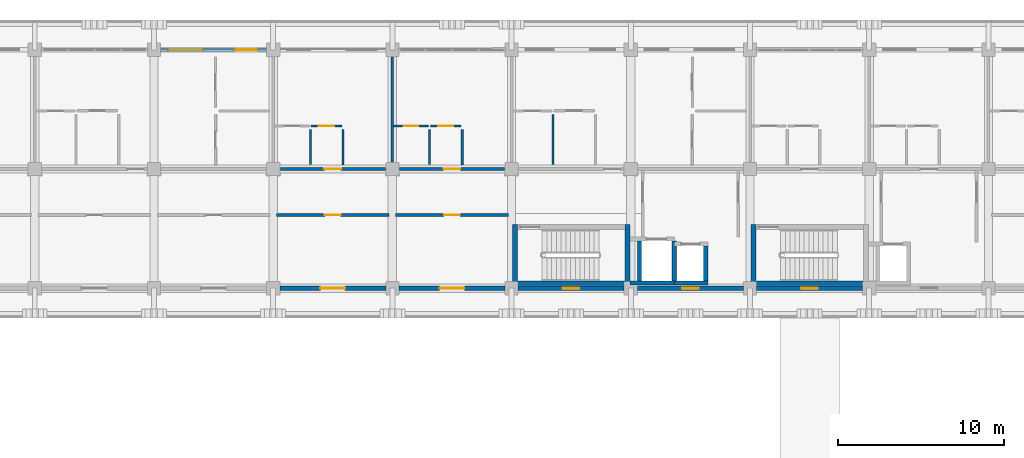
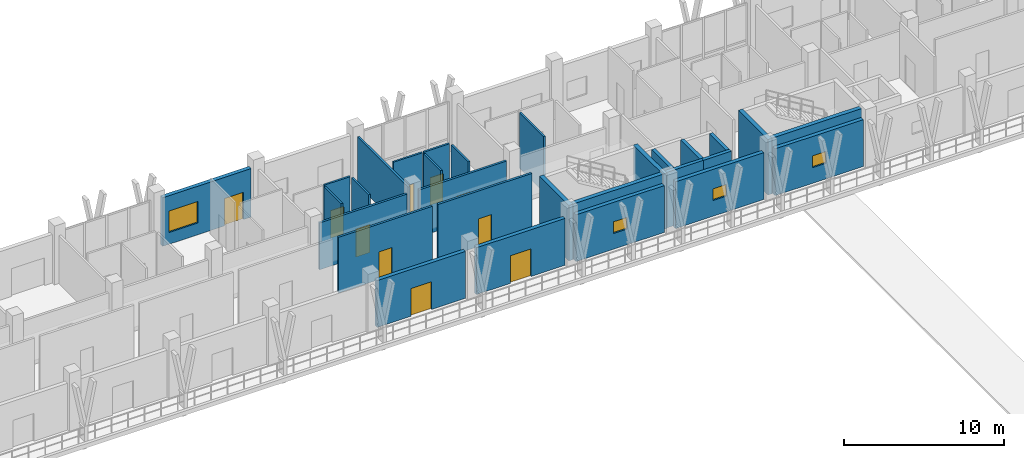
# One storey, part 74 of 110: 29 walls, 10 doors, 4 windows, 14 openings.
"""IFC4 building model written with IfcOpenShell, lengths in metres."""

from ifc_helpers import new_model, si_unit, direction, frame, frame_2d, origin, place, context, subcontext, project, spatial, rectangle, extrude, material, layer, layer_set, type_object, element, fill, save


model = new_model("IFC4")

# Units and contexts
model_context = context("Model", 3, precision=1e-05, world=origin(), true_north=direction((0.0, 1.0)))
body_context = subcontext(model_context, "Body", "Model", "MODEL_VIEW")
ifc_project = project(units=[si_unit("LENGTHUNIT", "METRE"), si_unit("AREAUNIT", "SQUARE_METRE"), si_unit("VOLUMEUNIT", "CUBIC_METRE"), si_unit("PLANEANGLEUNIT", "RADIAN"), si_unit("MASSUNIT", "GRAM", prefix="KILO")], contexts=[model_context])

# Site, building, storey
site_placement = place(None, origin())
site = spatial("IfcSite", under=ifc_project, at=site_placement, CompositionType="ELEMENT")
building_placement = place(site_placement, origin())
building = spatial("IfcBuilding", under=site, at=building_placement, Name="Suanplinth Sawtooth Commons", CompositionType="ELEMENT")
storey_placement = place(building_placement, frame((0.0, 0.0, 4.5)))
storey = spatial("IfcBuildingStorey", under=building, at=storey_placement, Name="L01", CompositionType="ELEMENT", Elevation=4.5)

# Walls
ifc_material_1 = material(Name="Concrete C40/50", Category="concrete")
ifc_layer_1 = layer(ifc_material_1, 0.300048828125, Name="Standard RC stair and lift core wall 300mm")
ifc_layer_set_1 = layer_set([ifc_layer_1], Name="Concrete C40/50")
wall_type_1 = type_object("IfcWallType", Name="W-CR02", PredefinedType="SHEAR", material=ifc_layer_set_1)
wall_1_placement = place(storey_placement, frame((43.550048828125, 108.300048828125, 0.0), z_axis=(0.0, 0.0, 1.0), x_axis=(1.0, 0.0, 0.0)))
element("IfcWall", 1, at=wall_1_placement, inside=storey, type_object=wall_type_1, Name="W-L01-C-A1-STS", PredefinedType="SHEAR", context=body_context, shape_type="SweptSolid", body=[
    extrude(rectangle(XDim=6.5, YDim=0.300048828125, at=frame_2d((3.25, 0.0))), origin(), (0.0, 0.0, 1.0), 4.25),
])
for number, where, z_axis, x_axis, name in (
    (2, (43.39990234375, 108.14990234375, 0.0), (0.0, 0.0, 1.0), (0.0, 1.0, 0.0), "W-L01-C-A1-STW"),
    (3, (50.199951171875, 108.14990234375, 0.0), (0.0, 0.0, 1.0), (0.0, 1.0, 0.0), "W-L01-C-A1-STE"),
):
    element("IfcWall", number, at=place(storey_placement, frame(where, z_axis=z_axis, x_axis=x_axis)), inside=storey, type_object=wall_type_1, Name=name, PredefinedType="SHEAR", context=body_context, shape_type="SweptSolid", body=[
        extrude(rectangle(XDim=3.7001953125, YDim=0.300048828125, at=frame_2d((1.85009765625, 0.0))), origin(), (0.0, 0.0, 1.0), 4.25),
    ])
wall_2_placement = place(storey_placement, frame((57.949951171875, 108.300048828125, 0.0), z_axis=(0.0, 0.0, 1.0), x_axis=(1.0, 0.0, 0.0)))
element("IfcWall", 4, at=wall_2_placement, inside=storey, type_object=wall_type_1, Name="W-L01-C-A2-STS", PredefinedType="SHEAR", context=body_context, shape_type="SweptSolid", body=[
    extrude(rectangle(XDim=6.5, YDim=0.300048828125, at=frame_2d((3.25, 0.0))), origin(), (0.0, 0.0, 1.0), 4.25),
])
wall_3_placement = place(storey_placement, frame((57.800048828125, 108.14990234375, 0.0), z_axis=(0.0, 0.0, 1.0), x_axis=(0.0, 1.0, 0.0)))
element("IfcWall", 5, at=wall_3_placement, inside=storey, type_object=wall_type_1, Name="W-L01-C-A2-STW", PredefinedType="SHEAR", context=body_context, shape_type="SweptSolid", body=[
    extrude(rectangle(XDim=3.7001953125, YDim=0.300048828125, at=frame_2d((1.85009765625, 0.0))), origin(), (0.0, 0.0, 1.0), 4.25),
])

# Wall, openings, door, window
ifc_material_2 = material(Name="Precast concrete C40/50", Category="concrete")
ifc_layer_2 = layer(ifc_material_2, 0.280029296875, Name="Insulated precast architectural facade wall 280mm")
ifc_layer_set_2 = layer_set([ifc_layer_2], Name="Precast concrete C40/50")
wall_type_2 = type_object("IfcWallType", Name="W-EX01", PredefinedType="ELEMENTEDWALL", material=ifc_layer_set_2)
wall_4_placement = place(storey_placement, frame((22.0, 122.39990234375, 0.0), z_axis=(0.0, 0.0, 1.0), x_axis=(1.0, 0.0, 0.0)))
wall_4 = element("IfcWall", 6, at=wall_4_placement, inside=storey, type_object=wall_type_2, Name="Facade Wall W-L01-A-N-3", PredefinedType="ELEMENTEDWALL", context=body_context, shape_type="SweptSolid", body=[
    extrude(rectangle(XDim=6.39990234375, YDim=0.280029296875, at=frame_2d((3.199951171875, 0.0))), origin(), (0.0, 0.0, 1.0), 3.715087890625),
])
opening_1_placement = place(wall_4_placement, frame((4.449951171875, 0.0, 0.0)))
opening_1 = element("IfcOpeningElement", 7, at=opening_1_placement, cuts=wall_4, Name="Opening ED0044", PredefinedType="OPENING", context=body_context, shape_type="SweptSolid", body=[
    extrude(rectangle(XDim=1.39990234375, YDim=2.10009765625, at=frame_2d((0.699951171875, 1.050048828125))), frame((0.0, 0.15478515625, 0.0), z_axis=(0.0, -1.0, 0.0), x_axis=(1.0, 0.0, 0.0)), (0.0, 0.0, 1.0), 0.309814453125),
])
opening_2_placement = place(wall_4_placement, frame((0.449951171875, 0.0, 0.89990234375)))
opening_2 = element("IfcOpeningElement", 8, at=opening_2_placement, cuts=wall_4, Name="Opening W0170", PredefinedType="OPENING", context=body_context, shape_type="SweptSolid", body=[
    extrude(rectangle(XDim=2.10009765625, YDim=1.64990234375, at=frame_2d((1.050048828125, 0.824951171875))), frame((0.0, 0.15478515625, 0.0), z_axis=(0.0, -1.0, 0.0), x_axis=(1.0, 0.0, 0.0)), (0.0, 0.0, 1.0), 0.309814453125),
])
ifc_material_3 = material(Name="Anodized aluminium and low-E glass", Category="aluminium")
door_type_1 = type_object("IfcDoorType", Name="SD-07", OperationType="SLIDING_TO_RIGHT", PredefinedType="DOOR", material=ifc_material_3)
door_1_placement = place(opening_1_placement, frame((1.39990234375, 0.0, 0.0), z_axis=(0.0, 0.0, 1.0), x_axis=(-1.0, 0.0, 0.0)))
door_1 = element("IfcDoor", 9, at=door_1_placement, inside=storey, type_object=door_type_1, Name="Balcony Sliding Door L01-A-N-3", OperationType="SLIDING_TO_RIGHT", OverallHeight=2.10009765625, OverallWidth=1.39990234375, PredefinedType="DOOR", context=body_context, shape_type="SweptSolid", body=[
    extrude(rectangle(XDim=1.39990234375, YDim=2.10009765625, at=frame_2d((0.699951171875, 1.050048828125))), frame((0.0, 0.02490234375, 0.0), z_axis=(0.0, -1.0, 0.0), x_axis=(1.0, 0.0, 0.0)), (0.0, 0.0, 1.0), 0.050048828125),
])
fill(opening_1, door_1)
ifc_material_4 = material(Name="Thermally broken aluminium and low-E double glazing", Category="aluminium")
window_type_1 = type_object("IfcWindowType", Name="WN-06", PartitioningType="DOUBLE_PANEL_VERTICAL", PredefinedType="WINDOW", material=ifc_material_4)
window_1_placement = place(opening_2_placement, origin())
window_1 = element("IfcWindow", 10, at=window_1_placement, inside=storey, type_object=window_type_1, Name="Window L01-A-N-3", OverallHeight=1.64990234375, OverallWidth=2.10009765625, PartitioningType="DOUBLE_PANEL_VERTICAL", PredefinedType="WINDOW", context=body_context, shape_type="SweptSolid", body=[
    extrude(rectangle(XDim=2.10009765625, YDim=1.64990234375, at=frame_2d((1.050048828125, 0.824951171875))), frame((0.0, 0.030029296875, 0.0), z_axis=(0.0, -1.0, 0.0), x_axis=(1.0, 0.0, 0.0)), (0.0, 0.0, 1.0), 0.06005859375),
])
fill(opening_2, window_1)

# Wall, opening, door
wall_5_placement = place(storey_placement, frame((29.199951171875, 108.0, 0.0), z_axis=(0.0, 0.0, 1.0), x_axis=(1.0, 0.0, 0.0)))
wall_5 = element("IfcWall", 11, at=wall_5_placement, inside=storey, type_object=wall_type_2, Name="Courtyard Wall W-L01-A-S-4", PredefinedType="ELEMENTEDWALL", context=body_context, shape_type="SweptSolid", body=[
    extrude(rectangle(XDim=6.400146484375, YDim=0.280029296875, at=frame_2d((3.2001953125, 0.0))), origin(), (0.0, 0.0, 1.0), 3.5849609375),
])
opening_3_placement = place(wall_5_placement, frame((2.449951171875, 0.0, 0.0)))
opening_3 = element("IfcOpeningElement", 12, at=opening_3_placement, cuts=wall_5, Name="Opening ED0047", PredefinedType="OPENING", context=body_context, shape_type="SweptSolid", body=[
    extrude(rectangle(XDim=1.5, YDim=2.1201171875, at=frame_2d((0.75, 1.06005859375))), frame((0.0, 0.15478515625, 0.0), z_axis=(0.0, -1.0, 0.0), x_axis=(1.0, 0.0, 0.0)), (0.0, 0.0, 1.0), 0.309814453125),
])
door_type_2 = type_object("IfcDoorType", Name="SD-03", OperationType="SLIDING_TO_LEFT", PredefinedType="DOOR", material=ifc_material_3)
door_2_placement = place(opening_3_placement, frame((1.5, 0.0, 0.0), z_axis=(0.0, 0.0, 1.0), x_axis=(-1.0, 0.0, 0.0)))
door_2 = element("IfcDoor", 13, at=door_2_placement, inside=storey, type_object=door_type_2, Name="Courtyard Balcony Sliding Door L01-A-S-4", OperationType="SLIDING_TO_LEFT", OverallHeight=2.1201171875, OverallWidth=1.5, PredefinedType="DOOR", context=body_context, shape_type="SweptSolid", body=[
    extrude(rectangle(XDim=1.5, YDim=2.1201171875, at=frame_2d((0.75, 1.06005859375))), frame((0.0, 0.02490234375, 0.0), z_axis=(0.0, -1.0, 0.0), x_axis=(1.0, 0.0, 0.0)), (0.0, 0.0, 1.0), 0.050048828125),
])
fill(opening_3, door_2)

wall_6_placement = place(storey_placement, frame((36.39990234375, 108.0, 0.0), z_axis=(0.0, 0.0, 1.0), x_axis=(1.0, 0.0, 0.0)))
wall_6 = element("IfcWall", 14, at=wall_6_placement, inside=storey, type_object=wall_type_2, Name="Courtyard Wall W-L01-A-S-5", PredefinedType="ELEMENTEDWALL", context=body_context, shape_type="SweptSolid", body=[
    extrude(rectangle(XDim=6.400146484375, YDim=0.280029296875, at=frame_2d((3.2001953125, 0.0))), origin(), (0.0, 0.0, 1.0), 3.5849609375),
])
opening_4_placement = place(wall_6_placement, frame((2.449951171875, 0.0, 0.0)))
opening_4 = element("IfcOpeningElement", 15, at=opening_4_placement, cuts=wall_6, Name="Opening ED0048", PredefinedType="OPENING", context=body_context, shape_type="SweptSolid", body=[
    extrude(rectangle(XDim=1.5, YDim=2.1201171875, at=frame_2d((0.75, 1.06005859375))), frame((0.0, 0.15478515625, 0.0), z_axis=(0.0, -1.0, 0.0), x_axis=(1.0, 0.0, 0.0)), (0.0, 0.0, 1.0), 0.309814453125),
])
door_3_placement = place(opening_4_placement, frame((1.5, 0.0, 0.0), z_axis=(0.0, 0.0, 1.0), x_axis=(-1.0, 0.0, 0.0)))
door_3 = element("IfcDoor", 16, at=door_3_placement, inside=storey, type_object=door_type_2, Name="Courtyard Balcony Sliding Door L01-A-S-5", OperationType="SLIDING_TO_LEFT", OverallHeight=2.1201171875, OverallWidth=1.5, PredefinedType="DOOR", context=body_context, shape_type="SweptSolid", body=[
    extrude(rectangle(XDim=1.5, YDim=2.1201171875, at=frame_2d((0.75, 1.06005859375))), frame((0.0, 0.02490234375, 0.0), z_axis=(0.0, -1.0, 0.0), x_axis=(1.0, 0.0, 0.0)), (0.0, 0.0, 1.0), 0.050048828125),
])
fill(opening_4, door_3)

# Wall, opening, window
wall_7_placement = place(storey_placement, frame((43.60009765625, 108.0, 0.0), z_axis=(0.0, 0.0, 1.0), x_axis=(1.0, 0.0, 0.0)))
wall_7 = element("IfcWall", 17, at=wall_7_placement, inside=storey, type_object=wall_type_2, Name="Courtyard Wall W-L01-A-S-6", PredefinedType="ELEMENTEDWALL", context=body_context, shape_type="SweptSolid", body=[
    extrude(rectangle(XDim=6.39990234375, YDim=0.280029296875, at=frame_2d((3.199951171875, 0.0))), origin(), (0.0, 0.0, 1.0), 3.5849609375),
])
opening_5_placement = place(wall_7_placement, frame((2.699951171875, 0.0, 1.199951171875)))
opening_5 = element("IfcOpeningElement", 18, at=opening_5_placement, cuts=wall_7, Name="Opening W0173", PredefinedType="OPENING", context=body_context, shape_type="SweptSolid", body=[
    extrude(rectangle(XDim=1.0, YDim=0.89990234375, at=frame_2d((0.5, 0.449951171875))), frame((0.0, 0.15478515625, 0.0), z_axis=(0.0, -1.0, 0.0), x_axis=(1.0, 0.0, 0.0)), (0.0, 0.0, 1.0), 0.309814453125),
])
window_type_2 = type_object("IfcWindowType", Name="WN-12", PartitioningType="SINGLE_PANEL", PredefinedType="WINDOW", material=ifc_material_4)
window_2_placement = place(opening_5_placement, origin())
window_2 = element("IfcWindow", 19, at=window_2_placement, inside=storey, type_object=window_type_2, Name="Core Daylight Window L01-A-6", OverallHeight=0.89990234375, OverallWidth=1.0, PartitioningType="SINGLE_PANEL", PredefinedType="WINDOW", context=body_context, shape_type="SweptSolid", body=[
    extrude(rectangle(XDim=1.0, YDim=0.89990234375, at=frame_2d((0.5, 0.449951171875))), frame((0.0, 0.030029296875, 0.0), z_axis=(0.0, -1.0, 0.0), x_axis=(1.0, 0.0, 0.0)), (0.0, 0.0, 1.0), 0.06005859375),
])
fill(opening_5, window_2)

wall_8_placement = place(storey_placement, frame((50.800048828125, 108.0, 0.0), z_axis=(0.0, 0.0, 1.0), x_axis=(1.0, 0.0, 0.0)))
wall_8 = element("IfcWall", 20, at=wall_8_placement, inside=storey, type_object=wall_type_2, Name="Courtyard Wall W-L01-A-S-7", PredefinedType="ELEMENTEDWALL", context=body_context, shape_type="SweptSolid", body=[
    extrude(rectangle(XDim=6.39990234375, YDim=0.280029296875, at=frame_2d((3.199951171875, 0.0))), origin(), (0.0, 0.0, 1.0), 3.5849609375),
])
opening_6_placement = place(wall_8_placement, frame((2.699951171875, 0.0, 1.199951171875)))
opening_6 = element("IfcOpeningElement", 21, at=opening_6_placement, cuts=wall_8, Name="Opening W0175", PredefinedType="OPENING", context=body_context, shape_type="SweptSolid", body=[
    extrude(rectangle(XDim=1.0, YDim=0.89990234375, at=frame_2d((0.5, 0.449951171875))), frame((0.0, 0.15478515625, 0.0), z_axis=(0.0, -1.0, 0.0), x_axis=(1.0, 0.0, 0.0)), (0.0, 0.0, 1.0), 0.309814453125),
])
window_3_placement = place(opening_6_placement, origin())
window_3 = element("IfcWindow", 22, at=window_3_placement, inside=storey, type_object=window_type_2, Name="Core Daylight Window L01-A-7", OverallHeight=0.89990234375, OverallWidth=1.0, PartitioningType="SINGLE_PANEL", PredefinedType="WINDOW", context=body_context, shape_type="SweptSolid", body=[
    extrude(rectangle(XDim=1.0, YDim=0.89990234375, at=frame_2d((0.5, 0.449951171875))), frame((0.0, 0.030029296875, 0.0), z_axis=(0.0, -1.0, 0.0), x_axis=(1.0, 0.0, 0.0)), (0.0, 0.0, 1.0), 0.06005859375),
])
fill(opening_6, window_3)

wall_9_placement = place(storey_placement, frame((58.0, 108.0, 0.0), z_axis=(0.0, 0.0, 1.0), x_axis=(1.0, 0.0, 0.0)))
wall_9 = element("IfcWall", 23, at=wall_9_placement, inside=storey, type_object=wall_type_2, Name="Courtyard Wall W-L01-A-S-8", PredefinedType="ELEMENTEDWALL", context=body_context, shape_type="SweptSolid", body=[
    extrude(rectangle(XDim=6.39990234375, YDim=0.280029296875, at=frame_2d((3.199951171875, 0.0))), origin(), (0.0, 0.0, 1.0), 3.5849609375),
])
opening_7_placement = place(wall_9_placement, frame((2.699951171875, 0.0, 1.199951171875)))
opening_7 = element("IfcOpeningElement", 24, at=opening_7_placement, cuts=wall_9, Name="Opening W0176", PredefinedType="OPENING", context=body_context, shape_type="SweptSolid", body=[
    extrude(rectangle(XDim=1.0, YDim=0.89990234375, at=frame_2d((0.5, 0.449951171875))), frame((0.0, 0.15478515625, 0.0), z_axis=(0.0, -1.0, 0.0), x_axis=(1.0, 0.0, 0.0)), (0.0, 0.0, 1.0), 0.309814453125),
])
window_4_placement = place(opening_7_placement, origin())
window_4 = element("IfcWindow", 25, at=window_4_placement, inside=storey, type_object=window_type_2, Name="Core Daylight Window L01-A-8", OverallHeight=0.89990234375, OverallWidth=1.0, PartitioningType="SINGLE_PANEL", PredefinedType="WINDOW", context=body_context, shape_type="SweptSolid", body=[
    extrude(rectangle(XDim=1.0, YDim=0.89990234375, at=frame_2d((0.5, 0.449951171875))), frame((0.0, 0.030029296875, 0.0), z_axis=(0.0, -1.0, 0.0), x_axis=(1.0, 0.0, 0.0)), (0.0, 0.0, 1.0), 0.06005859375),
])
fill(opening_7, window_4)

# Wall, opening, door
ifc_layer_3 = layer(ifc_material_2, 0.159912109375, Name="Fire-rated corridor and lobby wall 160mm")
ifc_layer_set_3 = layer_set([ifc_layer_3], Name="Precast concrete C40/50")
wall_type_3 = type_object("IfcWallType", Name="W-FW01", PredefinedType="PARTITIONING", material=ifc_layer_set_3)
wall_10_placement = place(storey_placement, frame((29.22998046875, 115.199951171875, 0.0), z_axis=(0.0, 0.0, 1.0), x_axis=(1.0, 0.0, 0.0)))
wall_10 = element("IfcWall", 26, at=wall_10_placement, inside=storey, type_object=wall_type_3, Name="W-A-L01-U04-COR", PredefinedType="PARTITIONING", context=body_context, shape_type="SweptSolid", body=[
    extrude(rectangle(XDim=6.340087890625, YDim=0.159912109375, at=frame_2d((3.169921875, 0.0))), origin(), (0.0, 0.0, 1.0), 3.5849609375),
])
opening_8_placement = place(wall_10_placement, frame((2.669921875, 0.0, 0.0)))
opening_8 = element("IfcOpeningElement", 27, at=opening_8_placement, cuts=wall_10, Name="Opening FD0533", PredefinedType="OPENING", context=body_context, shape_type="SweptSolid", body=[
    extrude(rectangle(XDim=1.0, YDim=2.14990234375, at=frame_2d((0.5, 1.074951171875))), frame((0.0, 0.0947265625, 0.0), z_axis=(0.0, -1.0, 0.0), x_axis=(1.0, 0.0, 0.0)), (0.0, 0.0, 1.0), 0.189697265625),
])
ifc_material_5 = material(Name="Teak hardwood fire-rated door assembly", Category="wood")
door_type_3 = type_object("IfcDoorType", Name="FD-03", OperationType="NOTDEFINED", PredefinedType="DOOR", material=ifc_material_5)
door_4_placement = place(opening_8_placement, origin())
door_4 = element("IfcDoor", 28, at=door_4_placement, inside=storey, type_object=door_type_3, Name="Unit Entrance Door FD0533", OperationType="SINGLE_SWING_LEFT", OverallHeight=2.14990234375, OverallWidth=1.0, PredefinedType="DOOR", context=body_context, shape_type="SweptSolid", body=[
    extrude(rectangle(XDim=1.0, YDim=2.14990234375, at=frame_2d((0.5, 1.074951171875))), frame((0.0, 0.02490234375, 0.0), z_axis=(0.0, -1.0, 0.0), x_axis=(1.0, 0.0, 0.0)), (0.0, 0.0, 1.0), 0.050048828125),
])
fill(opening_8, door_4)

wall_11_placement = place(storey_placement, frame((36.429931640625, 115.199951171875, 0.0), z_axis=(0.0, 0.0, 1.0), x_axis=(1.0, 0.0, 0.0)))
wall_11 = element("IfcWall", 29, at=wall_11_placement, inside=storey, type_object=wall_type_3, Name="W-A-L01-U05-COR", PredefinedType="PARTITIONING", context=body_context, shape_type="SweptSolid", body=[
    extrude(rectangle(XDim=6.340087890625, YDim=0.159912109375, at=frame_2d((3.169921875, 0.0))), origin(), (0.0, 0.0, 1.0), 3.5849609375),
])
opening_9_placement = place(wall_11_placement, frame((2.669921875, 0.0, 0.0)))
opening_9 = element("IfcOpeningElement", 30, at=opening_9_placement, cuts=wall_11, Name="Opening FD0536", PredefinedType="OPENING", context=body_context, shape_type="SweptSolid", body=[
    extrude(rectangle(XDim=1.0, YDim=2.14990234375, at=frame_2d((0.5, 1.074951171875))), frame((0.0, 0.0947265625, 0.0), z_axis=(0.0, -1.0, 0.0), x_axis=(1.0, 0.0, 0.0)), (0.0, 0.0, 1.0), 0.189697265625),
])
door_5_placement = place(opening_9_placement, origin())
door_5 = element("IfcDoor", 31, at=door_5_placement, inside=storey, type_object=door_type_3, Name="Unit Entrance Door FD0536", OperationType="SINGLE_SWING_RIGHT", OverallHeight=2.14990234375, OverallWidth=1.0, PredefinedType="DOOR", context=body_context, shape_type="SweptSolid", body=[
    extrude(rectangle(XDim=1.0, YDim=2.14990234375, at=frame_2d((0.5, 1.074951171875))), frame((0.0, 0.02490234375, 0.0), z_axis=(0.0, -1.0, 0.0), x_axis=(1.0, 0.0, 0.0)), (0.0, 0.0, 1.0), 0.050048828125),
])
fill(opening_9, door_5)

wall_12_placement = place(storey_placement, frame((29.0, 112.419921875, 0.0), z_axis=(0.0, 0.0, 1.0), x_axis=(1.0, 0.0, 0.0)))
wall_12 = element("IfcWall", 32, at=wall_12_placement, inside=storey, type_object=wall_type_3, Name="W-A-L01-COURTROOM-17-COR", PredefinedType="PARTITIONING", context=body_context, shape_type="SweptSolid", body=[
    extrude(rectangle(XDim=6.800048828125, YDim=0.159912109375, at=frame_2d((3.39990234375, 0.0))), origin(), (0.0, 0.0, 1.0), 4.25),
])
opening_10_placement = place(wall_12_placement, frame((2.929931640625, 0.0, 0.0)))
opening_10 = element("IfcOpeningElement", 33, at=opening_10_placement, cuts=wall_12, Name="Opening D0571", PredefinedType="OPENING", context=body_context, shape_type="SweptSolid", body=[
    extrude(rectangle(XDim=0.93994140625, YDim=2.1201171875, at=frame_2d((0.469970703125, 1.06005859375))), frame((0.0, 0.0947265625, 0.0), z_axis=(0.0, -1.0, 0.0), x_axis=(1.0, 0.0, 0.0)), (0.0, 0.0, 1.0), 0.189697265625),
])
ifc_material_6 = material(Name="Teak hardwood", Category="wood")
door_type_4 = type_object("IfcDoorType", Name="D-15", OperationType="NOTDEFINED", PredefinedType="DOOR", material=ifc_material_6)
door_6_placement = place(opening_10_placement, frame((0.93994140625, 0.0, 0.0), z_axis=(0.0, 0.0, 1.0), x_axis=(-1.0, 0.0, 0.0)))
door_6 = element("IfcDoor", 34, at=door_6_placement, inside=storey, type_object=door_type_4, Name="Study Studio Door D0571", OperationType="SINGLE_SWING_LEFT", OverallHeight=2.1201171875, OverallWidth=0.93994140625, PredefinedType="DOOR", context=body_context, shape_type="SweptSolid", body=[
    extrude(rectangle(XDim=0.93994140625, YDim=2.1201171875, at=frame_2d((0.469970703125, 1.06005859375))), frame((0.0, 0.02490234375, 0.0), z_axis=(0.0, -1.0, 0.0), x_axis=(1.0, 0.0, 0.0)), (0.0, 0.0, 1.0), 0.050048828125),
])
fill(opening_10, door_6)

wall_13_placement = place(storey_placement, frame((36.199951171875, 112.419921875, 0.0), z_axis=(0.0, 0.0, 1.0), x_axis=(1.0, 0.0, 0.0)))
wall_13 = element("IfcWall", 35, at=wall_13_placement, inside=storey, type_object=wall_type_3, Name="W-A-L01-COURTROOM-18-COR", PredefinedType="PARTITIONING", context=body_context, shape_type="SweptSolid", body=[
    extrude(rectangle(XDim=6.800048828125, YDim=0.159912109375, at=frame_2d((3.39990234375, 0.0))), origin(), (0.0, 0.0, 1.0), 4.25),
])
opening_11_placement = place(wall_13_placement, frame((2.929931640625, 0.0, 0.0)))
opening_11 = element("IfcOpeningElement", 36, at=opening_11_placement, cuts=wall_13, Name="Opening D0572", PredefinedType="OPENING", context=body_context, shape_type="SweptSolid", body=[
    extrude(rectangle(XDim=0.93994140625, YDim=2.1201171875, at=frame_2d((0.469970703125, 1.06005859375))), frame((0.0, 0.0947265625, 0.0), z_axis=(0.0, -1.0, 0.0), x_axis=(1.0, 0.0, 0.0)), (0.0, 0.0, 1.0), 0.189697265625),
])
door_7_placement = place(opening_11_placement, frame((0.93994140625, 0.0, 0.0), z_axis=(0.0, 0.0, 1.0), x_axis=(-1.0, 0.0, 0.0)))
door_7 = element("IfcDoor", 37, at=door_7_placement, inside=storey, type_object=door_type_4, Name="Study Studio Door D0572", OperationType="SINGLE_SWING_RIGHT", OverallHeight=2.1201171875, OverallWidth=0.93994140625, PredefinedType="DOOR", context=body_context, shape_type="SweptSolid", body=[
    extrude(rectangle(XDim=0.93994140625, YDim=2.1201171875, at=frame_2d((0.469970703125, 1.06005859375))), frame((0.0, 0.02490234375, 0.0), z_axis=(0.0, -1.0, 0.0), x_axis=(1.0, 0.0, 0.0)), (0.0, 0.0, 1.0), 0.050048828125),
])
fill(opening_11, door_7)

# Wall
ifc_layer_4 = layer(ifc_material_2, 0.14990234375, Name="Acoustic precast party demising wall 150mm")
ifc_layer_set_4 = layer_set([ifc_layer_4], Name="Precast concrete C40/50")
wall_type_4 = type_object("IfcWallType", Name="W-FW02", PredefinedType="PARTITIONING", material=ifc_layer_set_4)
wall_14_placement = place(storey_placement, frame((36.0, 115.6298828125, 0.0), z_axis=(0.0, 0.0, 1.0), x_axis=(0.0, 1.0, 0.0)))
element("IfcWall", 38, at=wall_14_placement, inside=storey, type_object=wall_type_4, Name="W-A-L01-U04-PTY", PredefinedType="PARTITIONING", context=body_context, shape_type="SweptSolid", body=[
    extrude(rectangle(XDim=6.340087890625, YDim=0.14990234375, at=frame_2d((3.169921875, 0.0))), origin(), (0.0, 0.0, 1.0), 3.68505859375),
])

# Wall, opening, door
ifc_material_7 = material(Name="Gypsum plasterboard on steel stud", Category="steel")
ifc_layer_5 = layer(ifc_material_7, 0.139892578125, Name="Fire-rated kitchen partition 140mm")
ifc_layer_set_5 = layer_set([ifc_layer_5], Name="Gypsum plasterboard on steel stud")
wall_type_5 = type_object("IfcWallType", Name="W-PT01", PredefinedType="PARTITIONING", material=ifc_layer_set_5)
wall_15_placement = place(storey_placement, frame((31.10009765625, 117.800048828125, 0.0), z_axis=(0.0, 0.0, 1.0), x_axis=(1.0, 0.0, 0.0)))
wall_15 = element("IfcWall", 39, at=wall_15_placement, inside=storey, type_object=wall_type_5, Name="W-A-L01-U04-KIT1", PredefinedType="PARTITIONING", context=body_context, shape_type="SweptSolid", body=[
    extrude(rectangle(XDim=1.849853515625, YDim=0.139892578125, at=frame_2d((0.9248046875, 0.0))), origin(), (0.0, 0.0, 1.0), 4.25),
])
opening_12_placement = place(wall_15_placement, frame((0.465087890625, 0.0, 0.0)))
opening_12 = element("IfcOpeningElement", 40, at=opening_12_placement, cuts=wall_15, Name="Opening D0535", PredefinedType="OPENING", context=body_context, shape_type="SweptSolid", body=[
    extrude(rectangle(XDim=0.919921875, YDim=2.10009765625, at=frame_2d((0.4599609375, 1.050048828125))), frame((0.0, 0.0849609375, 0.0), z_axis=(0.0, -1.0, 0.0), x_axis=(1.0, 0.0, 0.0)), (0.0, 0.0, 1.0), 0.169677734375),
])
door_type_5 = type_object("IfcDoorType", Name="D-02", OperationType="NOTDEFINED", PredefinedType="DOOR", material=ifc_material_6)
door_8_placement = place(opening_12_placement, frame((0.919921875, 0.0, 0.0), z_axis=(0.0, 0.0, 1.0), x_axis=(-1.0, 0.0, 0.0)))
door_8 = element("IfcDoor", 41, at=door_8_placement, inside=storey, type_object=door_type_5, Name="Kitchen Door D0535", OperationType="SINGLE_SWING_LEFT", OverallHeight=2.10009765625, OverallWidth=0.919921875, PredefinedType="DOOR", context=body_context, shape_type="SweptSolid", body=[
    extrude(rectangle(XDim=0.919921875, YDim=2.10009765625, at=frame_2d((0.4599609375, 1.050048828125))), frame((0.0, 0.02490234375, 0.0), z_axis=(0.0, -1.0, 0.0), x_axis=(1.0, 0.0, 0.0)), (0.0, 0.0, 1.0), 0.050048828125),
])
fill(opening_12, door_8)

# Wall
wall_16_placement = place(storey_placement, frame((33.02001953125, 115.429931640625, 0.0), z_axis=(0.0, 0.0, 1.0), x_axis=(0.0, 1.0, 0.0)))
element("IfcWall", 42, at=wall_16_placement, inside=storey, type_object=wall_type_5, Name="W-A-L01-U04-KIT2", PredefinedType="PARTITIONING", context=body_context, shape_type="SweptSolid", body=[
    extrude(rectangle(XDim=2.150146484375, YDim=0.139892578125, at=frame_2d((1.0751953125, 0.0))), origin(), (0.0, 0.0, 1.0), 4.25),
])

# Wall, opening, door
wall_17_placement = place(storey_placement, frame((38.300048828125, 117.800048828125, 0.0), z_axis=(0.0, 0.0, 1.0), x_axis=(1.0, 0.0, 0.0)))
wall_17 = element("IfcWall", 43, at=wall_17_placement, inside=storey, type_object=wall_type_5, Name="W-A-L01-U05-KIT1", PredefinedType="PARTITIONING", context=body_context, shape_type="SweptSolid", body=[
    extrude(rectangle(XDim=1.849853515625, YDim=0.139892578125, at=frame_2d((0.9248046875, 0.0))), origin(), (0.0, 0.0, 1.0), 4.25),
])
opening_13_placement = place(wall_17_placement, frame((0.465087890625, 0.0, 0.0)))
opening_13 = element("IfcOpeningElement", 44, at=opening_13_placement, cuts=wall_17, Name="Opening D0538", PredefinedType="OPENING", context=body_context, shape_type="SweptSolid", body=[
    extrude(rectangle(XDim=0.919921875, YDim=2.10009765625, at=frame_2d((0.4599609375, 1.050048828125))), frame((0.0, 0.0849609375, 0.0), z_axis=(0.0, -1.0, 0.0), x_axis=(1.0, 0.0, 0.0)), (0.0, 0.0, 1.0), 0.169677734375),
])
door_9_placement = place(opening_13_placement, frame((0.919921875, 0.0, 0.0), z_axis=(0.0, 0.0, 1.0), x_axis=(-1.0, 0.0, 0.0)))
door_9 = element("IfcDoor", 45, at=door_9_placement, inside=storey, type_object=door_type_5, Name="Kitchen Door D0538", OperationType="SINGLE_SWING_RIGHT", OverallHeight=2.10009765625, OverallWidth=0.919921875, PredefinedType="DOOR", context=body_context, shape_type="SweptSolid", body=[
    extrude(rectangle(XDim=0.919921875, YDim=2.10009765625, at=frame_2d((0.4599609375, 1.050048828125))), frame((0.0, 0.02490234375, 0.0), z_axis=(0.0, -1.0, 0.0), x_axis=(1.0, 0.0, 0.0)), (0.0, 0.0, 1.0), 0.050048828125),
])
fill(opening_13, door_9)

# Walls
wall_18_placement = place(storey_placement, frame((40.219970703125, 115.429931640625, 0.0), z_axis=(0.0, 0.0, 1.0), x_axis=(0.0, 1.0, 0.0)))
element("IfcWall", 46, at=wall_18_placement, inside=storey, type_object=wall_type_5, Name="W-A-L01-U05-KIT2", PredefinedType="PARTITIONING", context=body_context, shape_type="SweptSolid", body=[
    extrude(rectangle(XDim=2.150146484375, YDim=0.139892578125, at=frame_2d((1.0751953125, 0.0))), origin(), (0.0, 0.0, 1.0), 4.25),
])
ifc_layer_6 = layer(ifc_material_7, 0.1298828125, Name="Moisture-resistant bathroom partition 130mm")
ifc_layer_set_6 = layer_set([ifc_layer_6], Name="Gypsum plasterboard on steel stud")
wall_type_6 = type_object("IfcWallType", Name="W-PT02", PredefinedType="PARTITIONING", material=ifc_layer_set_6)
wall_19_placement = place(storey_placement, frame((31.044921875, 115.4599609375, 0.0), z_axis=(0.0, 0.0, 1.0), x_axis=(0.0, 1.0, 0.0)))
element("IfcWall", 47, at=wall_19_placement, inside=storey, type_object=wall_type_6, Name="W-A-L01-U04-BTH2", PredefinedType="PARTITIONING", context=body_context, shape_type="SweptSolid", body=[
    extrude(rectangle(XDim=2.130126953125, YDim=0.1298828125, at=frame_2d((1.06494140625, 0.0))), origin(), (0.0, 0.0, 1.0), 4.25),
])

# Wall, opening, door
wall_20_placement = place(storey_placement, frame((36.080078125, 117.794921875, 0.0), z_axis=(0.0, 0.0, 1.0), x_axis=(1.0, 0.0, 0.0)))
wall_20 = element("IfcWall", 48, at=wall_20_placement, inside=storey, type_object=wall_type_6, Name="W-A-L01-U05-BTH1", PredefinedType="PARTITIONING", context=body_context, shape_type="SweptSolid", body=[
    extrude(rectangle(XDim=2.099853515625, YDim=0.1298828125, at=frame_2d((1.0498046875, 0.0))), origin(), (0.0, 0.0, 1.0), 4.25),
])
opening_14_placement = place(wall_20_placement, frame((0.610107421875, 0.0, 0.0)))
opening_14 = element("IfcOpeningElement", 49, at=opening_14_placement, cuts=wall_20, Name="Opening D0537", PredefinedType="OPENING", context=body_context, shape_type="SweptSolid", body=[
    extrude(rectangle(XDim=0.8798828125, YDim=2.10009765625, at=frame_2d((0.43994140625, 1.050048828125))), frame((0.0, 0.079833984375, 0.0), z_axis=(0.0, -1.0, 0.0), x_axis=(1.0, 0.0, 0.0)), (0.0, 0.0, 1.0), 0.15966796875),
])
door_type_6 = type_object("IfcDoorType", Name="D-14", OperationType="NOTDEFINED", PredefinedType="DOOR", material=ifc_material_6)
door_10_placement = place(opening_14_placement, frame((0.8798828125, 0.0, 0.0), z_axis=(0.0, 0.0, 1.0), x_axis=(-1.0, 0.0, 0.0)))
door_10 = element("IfcDoor", 50, at=door_10_placement, inside=storey, type_object=door_type_6, Name="Bathroom Door D0537", OperationType="SINGLE_SWING_LEFT", OverallHeight=2.10009765625, OverallWidth=0.8798828125, PredefinedType="DOOR", context=body_context, shape_type="SweptSolid", body=[
    extrude(rectangle(XDim=0.8798828125, YDim=2.10009765625, at=frame_2d((0.43994140625, 1.050048828125))), frame((0.0, 0.02490234375, 0.0), z_axis=(0.0, -1.0, 0.0), x_axis=(1.0, 0.0, 0.0)), (0.0, 0.0, 1.0), 0.050048828125),
])
fill(opening_14, door_10)

# Walls
wall_21_placement = place(storey_placement, frame((38.2451171875, 115.4599609375, 0.0), z_axis=(0.0, 0.0, 1.0), x_axis=(0.0, 1.0, 0.0)))
element("IfcWall", 51, at=wall_21_placement, inside=storey, type_object=wall_type_6, Name="W-A-L01-U05-BTH2", PredefinedType="PARTITIONING", context=body_context, shape_type="SweptSolid", body=[
    extrude(rectangle(XDim=2.130126953125, YDim=0.1298828125, at=frame_2d((1.06494140625, 0.0))), origin(), (0.0, 0.0, 1.0), 4.25),
])
wall_22_placement = place(storey_placement, frame((45.695068359375, 115.4599609375, 0.0), z_axis=(0.0, 0.0, 1.0), x_axis=(0.0, 1.0, 0.0)))
element("IfcWall", 52, at=wall_22_placement, inside=storey, type_object=wall_type_6, Name="W-A-L01-U06-BTH2", PredefinedType="PARTITIONING", context=body_context, shape_type="SweptSolid", body=[
    extrude(rectangle(XDim=3.0400390625, YDim=0.1298828125, at=frame_2d((1.52001953125, 0.0))), origin(), (0.0, 0.0, 1.0), 4.25),
])
ifc_layer_7 = layer(ifc_material_2, 0.25, Name="Precast structural shear wall 250mm")
ifc_layer_set_7 = layer_set([ifc_layer_7], Name="Precast concrete C40/50")
wall_type_7 = type_object("IfcWallType", Name="W-SH01", PredefinedType="SHEAR", material=ifc_layer_set_7)
wall_23_placement = place(storey_placement, frame((50.35009765625, 108.324951171875, 0.0), z_axis=(0.0, 0.0, 1.0), x_axis=(1.0, 0.0, 0.0)))
element("IfcWall", 53, at=wall_23_placement, inside=storey, type_object=wall_type_7, Name="W-L01-FL1-S", PredefinedType="SHEAR", context=body_context, shape_type="SweptSolid", body=[
    extrude(rectangle(XDim=2.6748046875, YDim=0.25, at=frame_2d((1.33740234375, 0.0))), origin(), (0.0, 0.0, 1.0), 4.25),
])
for number, where, z_axis, x_axis, name in (
    (54, (50.925048828125, 108.449951171875, 0.0), (0.0, 0.0, 1.0), (0.0, 1.0, 0.0), "W-L01-FL1-W"),
    (55, (53.02490234375, 108.449951171875, 0.0), (0.0, 0.0, 1.0), (0.0, 1.0, 0.0), "W-L01-FL1-DIV"),
):
    element("IfcWall", number, at=place(storey_placement, frame(where, z_axis=z_axis, x_axis=x_axis)), inside=storey, type_object=wall_type_7, Name=name, PredefinedType="SHEAR", context=body_context, shape_type="SweptSolid", body=[
        extrude(rectangle(XDim=2.400146484375, YDim=0.25, at=frame_2d((1.2001953125, 0.0))), origin(), (0.0, 0.0, 1.0), 4.25),
    ])
wall_24_placement = place(storey_placement, frame((53.02490234375, 108.324951171875, 0.0), z_axis=(0.0, 0.0, 1.0), x_axis=(1.0, 0.0, 0.0)))
element("IfcWall", 56, at=wall_24_placement, inside=storey, type_object=wall_type_7, Name="W-L01-LF1-S", PredefinedType="SHEAR", context=body_context, shape_type="SweptSolid", body=[
    extrude(rectangle(XDim=2.025146484375, YDim=0.25, at=frame_2d((1.0126953125, 0.0))), origin(), (0.0, 0.0, 1.0), 4.25),
])
wall_25_placement = place(storey_placement, frame((54.925048828125, 108.449951171875, 0.0), z_axis=(0.0, 0.0, 1.0), x_axis=(0.0, 1.0, 0.0)))
element("IfcWall", 57, at=wall_25_placement, inside=storey, type_object=wall_type_7, Name="W-L01-LF1-E", PredefinedType="SHEAR", context=body_context, shape_type="SweptSolid", body=[
    extrude(rectangle(XDim=2.10009765625, YDim=0.25, at=frame_2d((1.050048828125, 0.0))), origin(), (0.0, 0.0, 1.0), 4.25),
])

save(model, "model.ifc")
